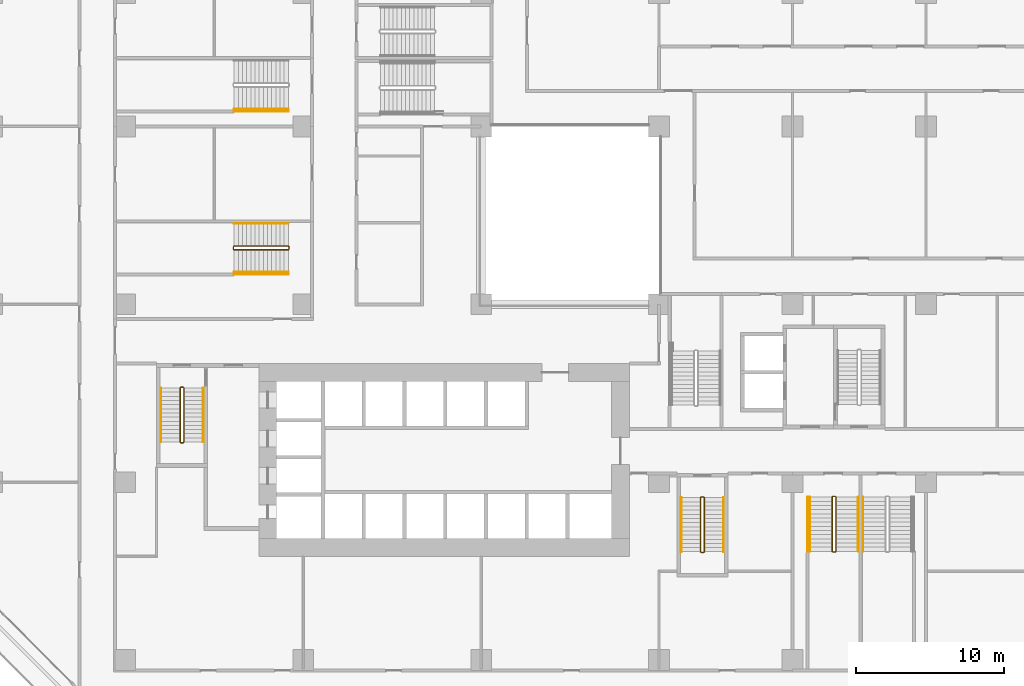
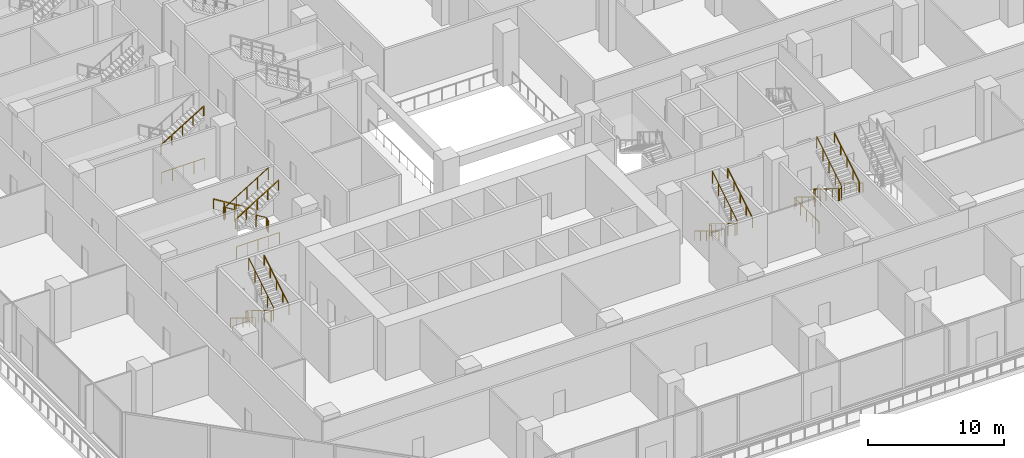
# One storey, part 25 of 31: 17 railings.
"""IFC4 building model written with IfcOpenShell, lengths in metres."""

from ifc_helpers import new_model, si_unit, direction, frame, origin, origin_2d, place, context, subcontext, project, spatial, rectangle, extrude, material, type_object, element, save


model = new_model("IFC4")

# Units and contexts
model_context = context("Model", 3, precision=1e-05, world=origin(), true_north=direction((0.0, 1.0)))
body_context = subcontext(model_context, "Body", "Model", "MODEL_VIEW")
ifc_project = project(units=[si_unit("LENGTHUNIT", "METRE"), si_unit("AREAUNIT", "SQUARE_METRE"), si_unit("VOLUMEUNIT", "CUBIC_METRE"), si_unit("PLANEANGLEUNIT", "RADIAN"), si_unit("MASSUNIT", "GRAM", prefix="KILO")], contexts=[model_context])

# Site, building, storey
site_placement = place(None, origin())
site = spatial("IfcSite", under=ifc_project, at=site_placement, CompositionType="ELEMENT")
building_placement = place(site_placement, origin())
building = spatial("IfcBuilding", under=site, at=building_placement, Name="Chenar Terraces", CompositionType="ELEMENT")
storey_placement = place(building_placement, frame((0.0, 0.0, 7.199951171875)))
storey = spatial("IfcBuildingStorey", under=building, at=storey_placement, Name="L01", CompositionType="ELEMENT", Elevation=7.199951171875)

# Railings
ifc_material_1 = material(Name="Powder-coated steel", Category="steel")
railing_type_1 = type_object("IfcRailingType", Name="Stair guard 1100", PredefinedType="GUARDRAIL", material=ifc_material_1)
railing_1_placement = place(storey_placement, frame((3.949951171875, 18.35009765625, 4.800048828125)))
element("IfcRailing", 1, at=railing_1_placement, inside=storey, type_object=railing_type_1, Name="L01 ST1 stair guard 1", PredefinedType="GUARDRAIL", context=body_context, shape_type="SweptSolid", body=[
    extrude(rectangle(XDim=0.048095703125, YDim=0.048095703125, at=origin_2d()), frame((0.0, 0.0, 1.076171875), z_axis=(0.0, -0.852865859571, -0.52213008492), x_axis=(1.0, 0.0, 0.0)), (0.0, 0.0, 1.0), 4.26806640625),
    extrude(rectangle(XDim=0.048095703125, YDim=0.048095703125, at=origin_2d()), frame((0.0, -3.64013671875, -1.15234375), z_axis=(-0.269911200495, -0.269911200495, -0.924281281696), x_axis=(0.707106781187, -0.707106781187, 0.0)), (0.0, 0.0, 1.0), 0.185546875),
    extrude(rectangle(XDim=0.048095703125, YDim=0.048095703125, at=origin_2d()), frame((-0.050048828125, -3.690185546875, -1.32373046875), z_axis=(-1.0, 0.0, 0.0), x_axis=(0.0, -1.0, 0.0)), (0.0, 0.0, 1.0), 0.14990234375),
    extrude(rectangle(XDim=0.048095703125, YDim=0.048095703125, at=origin_2d()), frame((-0.199951171875, -3.690185546875, -1.32373046875), z_axis=(-0.707106781187, 0.707106781187, 0.0), x_axis=(-0.707106781187, -0.707106781187, 0.0)), (0.0, 0.0, 1.0), 0.07080078125),
    extrude(rectangle(XDim=0.048095703125, YDim=0.048095703125, at=origin_2d()), frame((-0.25, -3.64013671875, -1.32373046875), z_axis=(0.0, 0.852840387347, -0.522171689878), x_axis=(-1.0, 0.0, 0.0)), (0.0, 0.0, 1.0), 4.268310546875),
    extrude(rectangle(XDim=0.048095703125, YDim=0.048095703125, at=origin_2d()), frame((-0.25, 0.0, -3.552734375), z_axis=(0.270006937388, 0.268689830376, -0.924609122178), x_axis=(-0.705375805398, 0.708833529934, 0.0)), (0.0, 0.0, 1.0), 0.185302734375),
    extrude(rectangle(XDim=0.048095703125, YDim=0.048095703125, at=origin_2d()), frame((-0.199951171875, 0.0498046875, -3.72412109375), z_axis=(1.0, 0.0, 0.0), x_axis=(0.0, 1.0, 0.0)), (0.0, 0.0, 1.0), 0.14990234375),
    extrude(rectangle(XDim=0.0419921875, YDim=0.0419921875, at=origin_2d()), origin(), (0.0, 0.0, 1.0), 1.052001953125),
    extrude(rectangle(XDim=0.0419921875, YDim=0.0419921875, at=origin_2d()), frame((0.0, -0.91015625, -0.55712890625)), (0.0, 0.0, 1.0), 1.052001953125),
    extrude(rectangle(XDim=0.0419921875, YDim=0.0419921875, at=origin_2d()), frame((0.0, -1.820068359375, -1.1142578125)), (0.0, 0.0, 1.0), 1.052001953125),
    extrude(rectangle(XDim=0.0419921875, YDim=0.0419921875, at=origin_2d()), frame((0.0, -2.72998046875, -1.67138671875)), (0.0, 0.0, 1.0), 1.052001953125),
    extrude(rectangle(XDim=0.0419921875, YDim=0.0419921875, at=origin_2d()), frame((0.0, -3.64013671875, -2.228515625)), (0.0, 0.0, 1.0), 1.052001953125),
    extrude(rectangle(XDim=0.0419921875, YDim=0.0419921875, at=origin_2d()), frame((-0.050048828125, -3.690185546875, -2.39990234375)), (0.0, 0.0, 1.0), 1.052001953125),
    extrude(rectangle(XDim=0.0419921875, YDim=0.0419921875, at=origin_2d()), frame((-0.199951171875, -3.690185546875, -2.39990234375)), (0.0, 0.0, 1.0), 1.052001953125),
    extrude(rectangle(XDim=0.0419921875, YDim=0.0419921875, at=origin_2d()), frame((-0.25, -3.64013671875, -2.39990234375)), (0.0, 0.0, 1.0), 1.052001953125),
    extrude(rectangle(XDim=0.0419921875, YDim=0.0419921875, at=origin_2d()), frame((-0.25, -2.72998046875, -2.95703125)), (0.0, 0.0, 1.0), 1.052001953125),
    extrude(rectangle(XDim=0.0419921875, YDim=0.0419921875, at=origin_2d()), frame((-0.25, -1.820068359375, -3.51416015625)), (0.0, 0.0, 1.0), 1.052001953125),
    extrude(rectangle(XDim=0.0419921875, YDim=0.0419921875, at=origin_2d()), frame((-0.25, -0.91015625, -4.071533203125)), (0.0, 0.0, 1.0), 1.052001953125),
    extrude(rectangle(XDim=0.0419921875, YDim=0.0419921875, at=origin_2d()), frame((-0.25, 0.0, -4.628662109375)), (0.0, 0.0, 1.0), 1.052001953125),
    extrude(rectangle(XDim=0.0419921875, YDim=0.0419921875, at=origin_2d()), frame((-0.199951171875, 0.0498046875, -4.800048828125)), (0.0, 0.0, 1.0), 1.052001953125),
    extrude(rectangle(XDim=0.0419921875, YDim=0.0419921875, at=origin_2d()), frame((-0.050048828125, 0.0498046875, -4.800048828125)), (0.0, 0.0, 1.0), 1.052001953125),
])
railing_2_placement = place(storey_placement, frame((39.050048828125, 10.949951171875, 4.800048828125)))
element("IfcRailing", 2, at=railing_2_placement, inside=storey, type_object=railing_type_1, Name="L01 ST2 stair guard 1", PredefinedType="GUARDRAIL", context=body_context, shape_type="SweptSolid", body=[
    extrude(rectangle(XDim=0.048095703125, YDim=0.048095703125, at=origin_2d()), frame((0.0, 0.0, 1.076171875), z_axis=(0.0, -0.852850264322, -0.5221555579), x_axis=(1.0, 0.0, 0.0)), (0.0, 0.0, 1.0), 4.267822265625),
    extrude(rectangle(XDim=0.048095703125, YDim=0.048095703125, at=origin_2d()), frame((0.0, -3.639892578125, -1.15234375), z_axis=(-0.269911200495, -0.269911200495, -0.924281281696), x_axis=(0.707106781187, -0.707106781187, 0.0)), (0.0, 0.0, 1.0), 0.185546875),
    extrude(rectangle(XDim=0.048095703125, YDim=0.048095703125, at=origin_2d()), frame((-0.050048828125, -3.68994140625, -1.32373046875), z_axis=(-1.0, 0.0, 0.0), x_axis=(0.0, -1.0, 0.0)), (0.0, 0.0, 1.0), 0.14990234375),
    extrude(rectangle(XDim=0.048095703125, YDim=0.048095703125, at=origin_2d()), frame((-0.199951171875, -3.68994140625, -1.32373046875), z_axis=(-0.707106781187, 0.707106781187, 0.0), x_axis=(-0.707106781187, -0.707106781187, 0.0)), (0.0, 0.0, 1.0), 0.07080078125),
    extrude(rectangle(XDim=0.048095703125, YDim=0.048095703125, at=origin_2d()), frame((-0.25, -3.639892578125, -1.32373046875), z_axis=(0.0, 0.852824790078, -0.522197163366), x_axis=(-1.0, 0.0, 0.0)), (0.0, 0.0, 1.0), 4.26806640625),
    extrude(rectangle(XDim=0.048095703125, YDim=0.048095703125, at=origin_2d()), frame((-0.25, 0.0, -3.552734375), z_axis=(0.269911200495, 0.269911200495, -0.924281281696), x_axis=(-0.707106781187, 0.707106781187, 0.0)), (0.0, 0.0, 1.0), 0.185546875),
    extrude(rectangle(XDim=0.048095703125, YDim=0.048095703125, at=origin_2d()), frame((-0.199951171875, 0.050048828125, -3.72412109375), z_axis=(1.0, 0.0, 0.0), x_axis=(0.0, 1.0, 0.0)), (0.0, 0.0, 1.0), 0.14990234375),
    extrude(rectangle(XDim=0.0419921875, YDim=0.0419921875, at=origin_2d()), origin(), (0.0, 0.0, 1.0), 1.052001953125),
    extrude(rectangle(XDim=0.0419921875, YDim=0.0419921875, at=origin_2d()), frame((0.0, -0.909912109375, -0.55712890625)), (0.0, 0.0, 1.0), 1.052001953125),
    extrude(rectangle(XDim=0.0419921875, YDim=0.0419921875, at=origin_2d()), frame((0.0, -1.81982421875, -1.1142578125)), (0.0, 0.0, 1.0), 1.052001953125),
    extrude(rectangle(XDim=0.0419921875, YDim=0.0419921875, at=origin_2d()), frame((0.0, -2.72998046875, -1.67138671875)), (0.0, 0.0, 1.0), 1.052001953125),
    extrude(rectangle(XDim=0.0419921875, YDim=0.0419921875, at=origin_2d()), frame((0.0, -3.639892578125, -2.228515625)), (0.0, 0.0, 1.0), 1.052001953125),
    extrude(rectangle(XDim=0.0419921875, YDim=0.0419921875, at=origin_2d()), frame((-0.050048828125, -3.68994140625, -2.39990234375)), (0.0, 0.0, 1.0), 1.052001953125),
    extrude(rectangle(XDim=0.0419921875, YDim=0.0419921875, at=origin_2d()), frame((-0.199951171875, -3.68994140625, -2.39990234375)), (0.0, 0.0, 1.0), 1.052001953125),
    extrude(rectangle(XDim=0.0419921875, YDim=0.0419921875, at=origin_2d()), frame((-0.25, -3.639892578125, -2.39990234375)), (0.0, 0.0, 1.0), 1.052001953125),
    extrude(rectangle(XDim=0.0419921875, YDim=0.0419921875, at=origin_2d()), frame((-0.25, -2.72998046875, -2.95703125)), (0.0, 0.0, 1.0), 1.052001953125),
    extrude(rectangle(XDim=0.0419921875, YDim=0.0419921875, at=origin_2d()), frame((-0.25, -1.81982421875, -3.51416015625)), (0.0, 0.0, 1.0), 1.052001953125),
    extrude(rectangle(XDim=0.0419921875, YDim=0.0419921875, at=origin_2d()), frame((-0.25, -0.909912109375, -4.071533203125)), (0.0, 0.0, 1.0), 1.052001953125),
    extrude(rectangle(XDim=0.0419921875, YDim=0.0419921875, at=origin_2d()), frame((-0.25, 0.0, -4.628662109375)), (0.0, 0.0, 1.0), 1.052001953125),
    extrude(rectangle(XDim=0.0419921875, YDim=0.0419921875, at=origin_2d()), frame((-0.199951171875, 0.050048828125, -4.800048828125)), (0.0, 0.0, 1.0), 1.052001953125),
    extrude(rectangle(XDim=0.0419921875, YDim=0.0419921875, at=origin_2d()), frame((-0.050048828125, 0.050048828125, -4.800048828125)), (0.0, 0.0, 1.0), 1.052001953125),
])
railing_3_placement = place(storey_placement, frame((10.985107421875, 27.675048828125, 4.800048828125)))
element("IfcRailing", 3, at=railing_3_placement, inside=storey, type_object=railing_type_1, Name="L01 PS5 stair guard 1", PredefinedType="GUARDRAIL", context=body_context, shape_type="SweptSolid", body=[
    extrude(rectangle(XDim=0.048095703125, YDim=0.048095703125, at=origin_2d()), frame((0.0, 0.0, 1.076171875), z_axis=(-0.852865859571, 0.0, -0.52213008492), x_axis=(0.0, -1.0, 0.0)), (0.0, 0.0, 1.0), 4.26806640625),
    extrude(rectangle(XDim=0.048095703125, YDim=0.048095703125, at=origin_2d()), frame((-3.64013671875, 0.0, -1.15234375), z_axis=(-0.269911200495, 0.269911200495, -0.924281281696), x_axis=(-0.707106781187, -0.707106781187, 0.0)), (0.0, 0.0, 1.0), 0.185546875),
    extrude(rectangle(XDim=0.048095703125, YDim=0.048095703125, at=origin_2d()), frame((-3.690185546875, 0.050048828125, -1.32373046875), z_axis=(0.0, 1.0, 0.0), x_axis=(-1.0, 0.0, 0.0)), (0.0, 0.0, 1.0), 0.14990234375),
    extrude(rectangle(XDim=0.048095703125, YDim=0.048095703125, at=origin_2d()), frame((-3.690185546875, 0.199951171875, -1.32373046875), z_axis=(0.707106781187, 0.707106781187, 0.0), x_axis=(-0.707106781187, 0.707106781187, 0.0)), (0.0, 0.0, 1.0), 0.07080078125),
    extrude(rectangle(XDim=0.048095703125, YDim=0.048095703125, at=origin_2d()), frame((-3.64013671875, 0.25, -1.32373046875), z_axis=(0.852840387347, 0.0, -0.522171689878), x_axis=(0.0, 1.0, 0.0)), (0.0, 0.0, 1.0), 4.268310546875),
    extrude(rectangle(XDim=0.048095703125, YDim=0.048095703125, at=origin_2d()), frame((0.0, 0.25, -3.552734375), z_axis=(0.268689830376, -0.270006937388, -0.924609122178), x_axis=(0.708833529934, 0.705375805398, 0.0)), (0.0, 0.0, 1.0), 0.185302734375),
    extrude(rectangle(XDim=0.048095703125, YDim=0.048095703125, at=origin_2d()), frame((0.0498046875, 0.199951171875, -3.72412109375), z_axis=(0.0, -1.0, 0.0), x_axis=(1.0, 0.0, 0.0)), (0.0, 0.0, 1.0), 0.14990234375),
    extrude(rectangle(XDim=0.0419921875, YDim=0.0419921875, at=origin_2d()), origin(), (0.0, 0.0, 1.0), 1.052001953125),
    extrude(rectangle(XDim=0.0419921875, YDim=0.0419921875, at=origin_2d()), frame((-0.91015625, 0.0, -0.55712890625)), (0.0, 0.0, 1.0), 1.052001953125),
    extrude(rectangle(XDim=0.0419921875, YDim=0.0419921875, at=origin_2d()), frame((-1.820068359375, 0.0, -1.1142578125)), (0.0, 0.0, 1.0), 1.052001953125),
    extrude(rectangle(XDim=0.0419921875, YDim=0.0419921875, at=origin_2d()), frame((-2.72998046875, 0.0, -1.67138671875)), (0.0, 0.0, 1.0), 1.052001953125),
    extrude(rectangle(XDim=0.0419921875, YDim=0.0419921875, at=origin_2d()), frame((-3.64013671875, 0.0, -2.228515625)), (0.0, 0.0, 1.0), 1.052001953125),
    extrude(rectangle(XDim=0.0419921875, YDim=0.0419921875, at=origin_2d()), frame((-3.690185546875, 0.050048828125, -2.39990234375)), (0.0, 0.0, 1.0), 1.052001953125),
    extrude(rectangle(XDim=0.0419921875, YDim=0.0419921875, at=origin_2d()), frame((-3.690185546875, 0.199951171875, -2.39990234375)), (0.0, 0.0, 1.0), 1.052001953125),
    extrude(rectangle(XDim=0.0419921875, YDim=0.0419921875, at=origin_2d()), frame((-3.64013671875, 0.25, -2.39990234375)), (0.0, 0.0, 1.0), 1.052001953125),
    extrude(rectangle(XDim=0.0419921875, YDim=0.0419921875, at=origin_2d()), frame((-2.72998046875, 0.25, -2.95703125)), (0.0, 0.0, 1.0), 1.052001953125),
    extrude(rectangle(XDim=0.0419921875, YDim=0.0419921875, at=origin_2d()), frame((-1.820068359375, 0.25, -3.51416015625)), (0.0, 0.0, 1.0), 1.052001953125),
    extrude(rectangle(XDim=0.0419921875, YDim=0.0419921875, at=origin_2d()), frame((-0.91015625, 0.25, -4.071533203125)), (0.0, 0.0, 1.0), 1.052001953125),
    extrude(rectangle(XDim=0.0419921875, YDim=0.0419921875, at=origin_2d()), frame((0.0, 0.25, -4.628662109375)), (0.0, 0.0, 1.0), 1.052001953125),
    extrude(rectangle(XDim=0.0419921875, YDim=0.0419921875, at=origin_2d()), frame((0.0498046875, 0.199951171875, -4.800048828125)), (0.0, 0.0, 1.0), 1.052001953125),
    extrude(rectangle(XDim=0.0419921875, YDim=0.0419921875, at=origin_2d()), frame((0.0498046875, 0.050048828125, -4.800048828125)), (0.0, 0.0, 1.0), 1.052001953125),
])
railing_4_placement = place(storey_placement, frame((47.925048828125, 10.985107421875, 4.800048828125)))
element("IfcRailing", 4, at=railing_4_placement, inside=storey, type_object=railing_type_1, Name="L01 PS6 stair guard 1", PredefinedType="GUARDRAIL", context=body_context, shape_type="SweptSolid", body=[
    extrude(rectangle(XDim=0.048095703125, YDim=0.048095703125, at=origin_2d()), frame((0.0, 0.0, 1.076171875), z_axis=(0.0, -0.852865859571, -0.52213008492), x_axis=(1.0, 0.0, 0.0)), (0.0, 0.0, 1.0), 4.26806640625),
    extrude(rectangle(XDim=0.048095703125, YDim=0.048095703125, at=origin_2d()), frame((0.0, -3.64013671875, -1.15234375), z_axis=(-0.269911200495, -0.269911200495, -0.924281281696), x_axis=(0.707106781187, -0.707106781187, 0.0)), (0.0, 0.0, 1.0), 0.185546875),
    extrude(rectangle(XDim=0.048095703125, YDim=0.048095703125, at=origin_2d()), frame((-0.050048828125, -3.690185546875, -1.32373046875), z_axis=(-1.0, 0.0, 0.0), x_axis=(0.0, -1.0, 0.0)), (0.0, 0.0, 1.0), 0.14990234375),
    extrude(rectangle(XDim=0.048095703125, YDim=0.048095703125, at=origin_2d()), frame((-0.199951171875, -3.690185546875, -1.32373046875), z_axis=(-0.707106781187, 0.707106781187, 0.0), x_axis=(-0.707106781187, -0.707106781187, 0.0)), (0.0, 0.0, 1.0), 0.07080078125),
    extrude(rectangle(XDim=0.048095703125, YDim=0.048095703125, at=origin_2d()), frame((-0.25, -3.64013671875, -1.32373046875), z_axis=(0.0, 0.852840387347, -0.522171689878), x_axis=(-1.0, 0.0, 0.0)), (0.0, 0.0, 1.0), 4.268310546875),
    extrude(rectangle(XDim=0.048095703125, YDim=0.048095703125, at=origin_2d()), frame((-0.25, 0.0, -3.552734375), z_axis=(0.270006937388, 0.268689830376, -0.924609122178), x_axis=(-0.705375805398, 0.708833529934, 0.0)), (0.0, 0.0, 1.0), 0.185302734375),
    extrude(rectangle(XDim=0.048095703125, YDim=0.048095703125, at=origin_2d()), frame((-0.199951171875, 0.0498046875, -3.72412109375), z_axis=(1.0, 0.0, 0.0), x_axis=(0.0, 1.0, 0.0)), (0.0, 0.0, 1.0), 0.14990234375),
    extrude(rectangle(XDim=0.0419921875, YDim=0.0419921875, at=origin_2d()), origin(), (0.0, 0.0, 1.0), 1.052001953125),
    extrude(rectangle(XDim=0.0419921875, YDim=0.0419921875, at=origin_2d()), frame((0.0, -0.91015625, -0.55712890625)), (0.0, 0.0, 1.0), 1.052001953125),
    extrude(rectangle(XDim=0.0419921875, YDim=0.0419921875, at=origin_2d()), frame((0.0, -1.820068359375, -1.1142578125)), (0.0, 0.0, 1.0), 1.052001953125),
    extrude(rectangle(XDim=0.0419921875, YDim=0.0419921875, at=origin_2d()), frame((0.0, -2.72998046875, -1.67138671875)), (0.0, 0.0, 1.0), 1.052001953125),
    extrude(rectangle(XDim=0.0419921875, YDim=0.0419921875, at=origin_2d()), frame((0.0, -3.64013671875, -2.228515625)), (0.0, 0.0, 1.0), 1.052001953125),
    extrude(rectangle(XDim=0.0419921875, YDim=0.0419921875, at=origin_2d()), frame((-0.050048828125, -3.690185546875, -2.39990234375)), (0.0, 0.0, 1.0), 1.052001953125),
    extrude(rectangle(XDim=0.0419921875, YDim=0.0419921875, at=origin_2d()), frame((-0.199951171875, -3.690185546875, -2.39990234375)), (0.0, 0.0, 1.0), 1.052001953125),
    extrude(rectangle(XDim=0.0419921875, YDim=0.0419921875, at=origin_2d()), frame((-0.25, -3.64013671875, -2.39990234375)), (0.0, 0.0, 1.0), 1.052001953125),
    extrude(rectangle(XDim=0.0419921875, YDim=0.0419921875, at=origin_2d()), frame((-0.25, -2.72998046875, -2.95703125)), (0.0, 0.0, 1.0), 1.052001953125),
    extrude(rectangle(XDim=0.0419921875, YDim=0.0419921875, at=origin_2d()), frame((-0.25, -1.820068359375, -3.51416015625)), (0.0, 0.0, 1.0), 1.052001953125),
    extrude(rectangle(XDim=0.0419921875, YDim=0.0419921875, at=origin_2d()), frame((-0.25, -0.91015625, -4.071533203125)), (0.0, 0.0, 1.0), 1.052001953125),
    extrude(rectangle(XDim=0.0419921875, YDim=0.0419921875, at=origin_2d()), frame((-0.25, 0.0, -4.628662109375)), (0.0, 0.0, 1.0), 1.052001953125),
    extrude(rectangle(XDim=0.0419921875, YDim=0.0419921875, at=origin_2d()), frame((-0.199951171875, 0.0498046875, -4.800048828125)), (0.0, 0.0, 1.0), 1.052001953125),
    extrude(rectangle(XDim=0.0419921875, YDim=0.0419921875, at=origin_2d()), frame((-0.050048828125, 0.0498046875, -4.800048828125)), (0.0, 0.0, 1.0), 1.052001953125),
])
railing_5_placement = place(storey_placement, frame((7.32421875, 26.010009765625, 0.0)))
element("IfcRailing", 5, at=railing_5_placement, inside=storey, type_object=railing_type_1, Name="L01 PS5 stair guard 101", PredefinedType="GUARDRAIL", context=body_context, shape_type="SweptSolid", body=[
    extrude(rectangle(XDim=0.048095703125, YDim=0.048095703125, at=origin_2d()), frame((0.0, 0.0, 1.076171875), z_axis=(1.0, 0.0, 0.0), x_axis=(0.0, 1.0, 0.0)), (0.0, 0.0, 1.0), 3.660888671875),
    extrude(rectangle(XDim=0.0419921875, YDim=0.0419921875, at=origin_2d()), origin(), (0.0, 0.0, 1.0), 1.052001953125),
    extrude(rectangle(XDim=0.0419921875, YDim=0.0419921875, at=origin_2d()), frame((0.915283203125, 0.0, 0.0)), (0.0, 0.0, 1.0), 1.052001953125),
    extrude(rectangle(XDim=0.0419921875, YDim=0.0419921875, at=origin_2d()), frame((1.83056640625, 0.0, 0.0)), (0.0, 0.0, 1.0), 1.052001953125),
    extrude(rectangle(XDim=0.0419921875, YDim=0.0419921875, at=origin_2d()), frame((2.74560546875, 0.0, 0.0)), (0.0, 0.0, 1.0), 1.052001953125),
    extrude(rectangle(XDim=0.0419921875, YDim=0.0419921875, at=origin_2d()), frame((3.660888671875, 0.0, 0.0)), (0.0, 0.0, 1.0), 1.052001953125),
])
railing_6_placement = place(storey_placement, frame((46.010009765625, 10.985107421875, 0.0)))
element("IfcRailing", 6, at=railing_6_placement, inside=storey, type_object=railing_type_1, Name="L01 PS6 stair guard 101", PredefinedType="GUARDRAIL", context=body_context, shape_type="SweptSolid", body=[
    extrude(rectangle(XDim=0.048095703125, YDim=0.048095703125, at=origin_2d()), frame((0.0, 0.0, 1.076171875), z_axis=(0.0, -1.0, 0.0), x_axis=(1.0, 0.0, 0.0)), (0.0, 0.0, 1.0), 3.660888671875),
    extrude(rectangle(XDim=0.0419921875, YDim=0.0419921875, at=origin_2d()), origin(), (0.0, 0.0, 1.0), 1.052001953125),
    extrude(rectangle(XDim=0.0419921875, YDim=0.0419921875, at=origin_2d()), frame((0.0, -0.915283203125, 0.0)), (0.0, 0.0, 1.0), 1.052001953125),
    extrude(rectangle(XDim=0.0419921875, YDim=0.0419921875, at=origin_2d()), frame((0.0, -1.83056640625, 0.0)), (0.0, 0.0, 1.0), 1.052001953125),
    extrude(rectangle(XDim=0.0419921875, YDim=0.0419921875, at=origin_2d()), frame((0.0, -2.74560546875, 0.0)), (0.0, 0.0, 1.0), 1.052001953125),
    extrude(rectangle(XDim=0.0419921875, YDim=0.0419921875, at=origin_2d()), frame((0.0, -3.660888671875, 0.0)), (0.0, 0.0, 1.0), 1.052001953125),
])
railing_7_placement = place(storey_placement, frame((7.32421875, 37.010009765625, 0.0)))
element("IfcRailing", 7, at=railing_7_placement, inside=storey, type_object=railing_type_1, Name="L01 PS9 stair guard 101", PredefinedType="GUARDRAIL", context=body_context, shape_type="SweptSolid", body=[
    extrude(rectangle(XDim=0.048095703125, YDim=0.048095703125, at=origin_2d()), frame((0.0, 0.0, 1.076171875), z_axis=(1.0, 0.0, 0.0), x_axis=(0.0, 1.0, 0.0)), (0.0, 0.0, 1.0), 3.660888671875),
    extrude(rectangle(XDim=0.0419921875, YDim=0.0419921875, at=origin_2d()), origin(), (0.0, 0.0, 1.0), 1.052001953125),
    extrude(rectangle(XDim=0.0419921875, YDim=0.0419921875, at=origin_2d()), frame((0.915283203125, 0.0, 0.0)), (0.0, 0.0, 1.0), 1.052001953125),
    extrude(rectangle(XDim=0.0419921875, YDim=0.0419921875, at=origin_2d()), frame((1.83056640625, 0.0, 0.0)), (0.0, 0.0, 1.0), 1.052001953125),
    extrude(rectangle(XDim=0.0419921875, YDim=0.0419921875, at=origin_2d()), frame((2.74560546875, 0.0, 0.0)), (0.0, 0.0, 1.0), 1.052001953125),
    extrude(rectangle(XDim=0.0419921875, YDim=0.0419921875, at=origin_2d()), frame((3.660888671875, 0.0, 0.0)), (0.0, 0.0, 1.0), 1.052001953125),
])
ifc_material_2 = material(Name="Powder-coated steel", Category="steel")
railing_type_2 = type_object("IfcRailingType", Name="Stair handrail 900", PredefinedType="HANDRAIL", material=ifc_material_2)
railing_8_placement = place(storey_placement, frame((2.39990234375, 18.35009765625, 0.17138671875)))
element("IfcRailing", 8, at=railing_8_placement, inside=storey, type_object=railing_type_2, Name="L01 ST1 stair handrail 1", PredefinedType="HANDRAIL", context=body_context, shape_type="SweptSolid", body=[
    extrude(rectangle(XDim=0.048095703125, YDim=0.048095703125, at=origin_2d()), frame((0.0, 0.0, 0.8759765625), z_axis=(0.0, -0.852840387347, 0.522171689878), x_axis=(1.0, 0.0, 0.0)), (0.0, 0.0, 1.0), 4.268310546875),
    extrude(rectangle(XDim=0.0419921875, YDim=0.0419921875, at=origin_2d()), origin(), (0.0, 0.0, 1.0), 0.851806640625),
    extrude(rectangle(XDim=0.0419921875, YDim=0.0419921875, at=origin_2d()), frame((0.0, -0.91015625, 0.55712890625)), (0.0, 0.0, 1.0), 0.851806640625),
    extrude(rectangle(XDim=0.0419921875, YDim=0.0419921875, at=origin_2d()), frame((0.0, -1.820068359375, 1.1142578125)), (0.0, 0.0, 1.0), 0.851806640625),
    extrude(rectangle(XDim=0.0419921875, YDim=0.0419921875, at=origin_2d()), frame((0.0, -2.72998046875, 1.671630859375)), (0.0, 0.0, 1.0), 0.851806640625),
    extrude(rectangle(XDim=0.0419921875, YDim=0.0419921875, at=origin_2d()), frame((0.0, -3.64013671875, 2.228759765625)), (0.0, 0.0, 1.0), 0.851806640625),
])
railing_9_placement = place(storey_placement, frame((5.25, 14.7099609375, 2.571533203125)))
element("IfcRailing", 9, at=railing_9_placement, inside=storey, type_object=railing_type_2, Name="L01 ST1 stair handrail 2", PredefinedType="HANDRAIL", context=body_context, shape_type="SweptSolid", body=[
    extrude(rectangle(XDim=0.048095703125, YDim=0.048095703125, at=origin_2d()), frame((0.0, 0.0, 0.8759765625), z_axis=(0.0, 0.852865859571, 0.52213008492), x_axis=(-1.0, 0.0, 0.0)), (0.0, 0.0, 1.0), 4.26806640625),
    extrude(rectangle(XDim=0.0419921875, YDim=0.0419921875, at=origin_2d()), origin(), (0.0, 0.0, 1.0), 0.851806640625),
    extrude(rectangle(XDim=0.0419921875, YDim=0.0419921875, at=origin_2d()), frame((0.0, 0.91015625, 0.55712890625)), (0.0, 0.0, 1.0), 0.851806640625),
    extrude(rectangle(XDim=0.0419921875, YDim=0.0419921875, at=origin_2d()), frame((0.0, 1.820068359375, 1.1142578125)), (0.0, 0.0, 1.0), 0.851806640625),
    extrude(rectangle(XDim=0.0419921875, YDim=0.0419921875, at=origin_2d()), frame((0.0, 2.72998046875, 1.67138671875)), (0.0, 0.0, 1.0), 0.851806640625),
    extrude(rectangle(XDim=0.0419921875, YDim=0.0419921875, at=origin_2d()), frame((0.0, 3.64013671875, 2.228515625)), (0.0, 0.0, 1.0), 0.851806640625),
])
railing_10_placement = place(storey_placement, frame((37.5, 10.949951171875, 0.17138671875)))
element("IfcRailing", 10, at=railing_10_placement, inside=storey, type_object=railing_type_2, Name="L01 ST2 stair handrail 1", PredefinedType="HANDRAIL", context=body_context, shape_type="SweptSolid", body=[
    extrude(rectangle(XDim=0.048095703125, YDim=0.048095703125, at=origin_2d()), frame((0.0, 0.0, 0.8759765625), z_axis=(0.0, -0.852824790078, 0.522197163366), x_axis=(1.0, 0.0, 0.0)), (0.0, 0.0, 1.0), 4.26806640625),
    extrude(rectangle(XDim=0.0419921875, YDim=0.0419921875, at=origin_2d()), origin(), (0.0, 0.0, 1.0), 0.851806640625),
    extrude(rectangle(XDim=0.0419921875, YDim=0.0419921875, at=origin_2d()), frame((0.0, -0.909912109375, 0.55712890625)), (0.0, 0.0, 1.0), 0.851806640625),
    extrude(rectangle(XDim=0.0419921875, YDim=0.0419921875, at=origin_2d()), frame((0.0, -1.81982421875, 1.1142578125)), (0.0, 0.0, 1.0), 0.851806640625),
    extrude(rectangle(XDim=0.0419921875, YDim=0.0419921875, at=origin_2d()), frame((0.0, -2.72998046875, 1.671630859375)), (0.0, 0.0, 1.0), 0.851806640625),
    extrude(rectangle(XDim=0.0419921875, YDim=0.0419921875, at=origin_2d()), frame((0.0, -3.639892578125, 2.228759765625)), (0.0, 0.0, 1.0), 0.851806640625),
])
railing_11_placement = place(storey_placement, frame((40.35009765625, 7.31005859375, 2.571533203125)))
element("IfcRailing", 11, at=railing_11_placement, inside=storey, type_object=railing_type_2, Name="L01 ST2 stair handrail 2", PredefinedType="HANDRAIL", context=body_context, shape_type="SweptSolid", body=[
    extrude(rectangle(XDim=0.048095703125, YDim=0.048095703125, at=origin_2d()), frame((0.0, 0.0, 0.8759765625), z_axis=(0.0, 0.852850264322, 0.5221555579), x_axis=(-1.0, 0.0, 0.0)), (0.0, 0.0, 1.0), 4.267822265625),
    extrude(rectangle(XDim=0.0419921875, YDim=0.0419921875, at=origin_2d()), origin(), (0.0, 0.0, 1.0), 0.851806640625),
    extrude(rectangle(XDim=0.0419921875, YDim=0.0419921875, at=origin_2d()), frame((0.0, 0.909912109375, 0.55712890625)), (0.0, 0.0, 1.0), 0.851806640625),
    extrude(rectangle(XDim=0.0419921875, YDim=0.0419921875, at=origin_2d()), frame((0.0, 1.81982421875, 1.1142578125)), (0.0, 0.0, 1.0), 0.851806640625),
    extrude(rectangle(XDim=0.0419921875, YDim=0.0419921875, at=origin_2d()), frame((0.0, 2.72998046875, 1.67138671875)), (0.0, 0.0, 1.0), 0.851806640625),
    extrude(rectangle(XDim=0.0419921875, YDim=0.0419921875, at=origin_2d()), frame((0.0, 3.639892578125, 2.228515625)), (0.0, 0.0, 1.0), 0.851806640625),
])
railing_12_placement = place(storey_placement, frame((49.760009765625, 10.985107421875, 0.17138671875)))
element("IfcRailing", 12, at=railing_12_placement, inside=storey, type_object=railing_type_2, Name="L01 PS2 stair handrail 1", PredefinedType="HANDRAIL", context=body_context, shape_type="SweptSolid", body=[
    extrude(rectangle(XDim=0.048095703125, YDim=0.048095703125, at=origin_2d()), frame((0.0, 0.0, 0.8759765625), z_axis=(0.0, -0.852840387347, 0.522171689878), x_axis=(1.0, 0.0, 0.0)), (0.0, 0.0, 1.0), 4.268310546875),
    extrude(rectangle(XDim=0.0419921875, YDim=0.0419921875, at=origin_2d()), origin(), (0.0, 0.0, 1.0), 0.851806640625),
    extrude(rectangle(XDim=0.0419921875, YDim=0.0419921875, at=origin_2d()), frame((0.0, -0.91015625, 0.55712890625)), (0.0, 0.0, 1.0), 0.851806640625),
    extrude(rectangle(XDim=0.0419921875, YDim=0.0419921875, at=origin_2d()), frame((0.0, -1.820068359375, 1.1142578125)), (0.0, 0.0, 1.0), 0.851806640625),
    extrude(rectangle(XDim=0.0419921875, YDim=0.0419921875, at=origin_2d()), frame((0.0, -2.72998046875, 1.671630859375)), (0.0, 0.0, 1.0), 0.851806640625),
    extrude(rectangle(XDim=0.0419921875, YDim=0.0419921875, at=origin_2d()), frame((0.0, -3.64013671875, 2.228759765625)), (0.0, 0.0, 1.0), 0.851806640625),
])
railing_13_placement = place(storey_placement, frame((10.985107421875, 29.43994140625, 0.17138671875)))
element("IfcRailing", 13, at=railing_13_placement, inside=storey, type_object=railing_type_2, Name="L01 PS5 stair handrail 1", PredefinedType="HANDRAIL", context=body_context, shape_type="SweptSolid", body=[
    extrude(rectangle(XDim=0.048095703125, YDim=0.048095703125, at=origin_2d()), frame((0.0, 0.0, 0.8759765625), z_axis=(-0.852840387347, 0.0, 0.522171689878), x_axis=(0.0, -1.0, 0.0)), (0.0, 0.0, 1.0), 4.268310546875),
    extrude(rectangle(XDim=0.0419921875, YDim=0.0419921875, at=origin_2d()), origin(), (0.0, 0.0, 1.0), 0.851806640625),
    extrude(rectangle(XDim=0.0419921875, YDim=0.0419921875, at=origin_2d()), frame((-0.91015625, 0.0, 0.55712890625)), (0.0, 0.0, 1.0), 0.851806640625),
    extrude(rectangle(XDim=0.0419921875, YDim=0.0419921875, at=origin_2d()), frame((-1.820068359375, 0.0, 1.1142578125)), (0.0, 0.0, 1.0), 0.851806640625),
    extrude(rectangle(XDim=0.0419921875, YDim=0.0419921875, at=origin_2d()), frame((-2.72998046875, 0.0, 1.671630859375)), (0.0, 0.0, 1.0), 0.851806640625),
    extrude(rectangle(XDim=0.0419921875, YDim=0.0419921875, at=origin_2d()), frame((-3.64013671875, 0.0, 2.228759765625)), (0.0, 0.0, 1.0), 0.851806640625),
])
railing_14_placement = place(storey_placement, frame((7.344970703125, 26.159912109375, 2.571533203125)))
element("IfcRailing", 14, at=railing_14_placement, inside=storey, type_object=railing_type_2, Name="L01 PS5 stair handrail 2", PredefinedType="HANDRAIL", context=body_context, shape_type="SweptSolid", body=[
    extrude(rectangle(XDim=0.048095703125, YDim=0.048095703125, at=origin_2d()), frame((0.0, 0.0, 0.8759765625), z_axis=(0.852865859571, 0.0, 0.52213008492), x_axis=(0.0, 1.0, 0.0)), (0.0, 0.0, 1.0), 4.26806640625),
    extrude(rectangle(XDim=0.0419921875, YDim=0.0419921875, at=origin_2d()), origin(), (0.0, 0.0, 1.0), 0.851806640625),
    extrude(rectangle(XDim=0.0419921875, YDim=0.0419921875, at=origin_2d()), frame((0.91015625, 0.0, 0.55712890625)), (0.0, 0.0, 1.0), 0.851806640625),
    extrude(rectangle(XDim=0.0419921875, YDim=0.0419921875, at=origin_2d()), frame((1.820068359375, 0.0, 1.1142578125)), (0.0, 0.0, 1.0), 0.851806640625),
    extrude(rectangle(XDim=0.0419921875, YDim=0.0419921875, at=origin_2d()), frame((2.72998046875, 0.0, 1.67138671875)), (0.0, 0.0, 1.0), 0.851806640625),
    extrude(rectangle(XDim=0.0419921875, YDim=0.0419921875, at=origin_2d()), frame((3.64013671875, 0.0, 2.228515625)), (0.0, 0.0, 1.0), 0.851806640625),
])
railing_15_placement = place(storey_placement, frame((46.159912109375, 10.985107421875, 0.17138671875)))
element("IfcRailing", 15, at=railing_15_placement, inside=storey, type_object=railing_type_2, Name="L01 PS6 stair handrail 1", PredefinedType="HANDRAIL", context=body_context, shape_type="SweptSolid", body=[
    extrude(rectangle(XDim=0.048095703125, YDim=0.048095703125, at=origin_2d()), frame((0.0, 0.0, 0.8759765625), z_axis=(0.0, -0.852840387347, 0.522171689878), x_axis=(1.0, 0.0, 0.0)), (0.0, 0.0, 1.0), 4.268310546875),
    extrude(rectangle(XDim=0.0419921875, YDim=0.0419921875, at=origin_2d()), origin(), (0.0, 0.0, 1.0), 0.851806640625),
    extrude(rectangle(XDim=0.0419921875, YDim=0.0419921875, at=origin_2d()), frame((0.0, -0.91015625, 0.55712890625)), (0.0, 0.0, 1.0), 0.851806640625),
    extrude(rectangle(XDim=0.0419921875, YDim=0.0419921875, at=origin_2d()), frame((0.0, -1.820068359375, 1.1142578125)), (0.0, 0.0, 1.0), 0.851806640625),
    extrude(rectangle(XDim=0.0419921875, YDim=0.0419921875, at=origin_2d()), frame((0.0, -2.72998046875, 1.671630859375)), (0.0, 0.0, 1.0), 0.851806640625),
    extrude(rectangle(XDim=0.0419921875, YDim=0.0419921875, at=origin_2d()), frame((0.0, -3.64013671875, 2.228759765625)), (0.0, 0.0, 1.0), 0.851806640625),
])
railing_16_placement = place(storey_placement, frame((49.43994140625, 7.344970703125, 2.571533203125)))
element("IfcRailing", 16, at=railing_16_placement, inside=storey, type_object=railing_type_2, Name="L01 PS6 stair handrail 2", PredefinedType="HANDRAIL", context=body_context, shape_type="SweptSolid", body=[
    extrude(rectangle(XDim=0.048095703125, YDim=0.048095703125, at=origin_2d()), frame((0.0, 0.0, 0.8759765625), z_axis=(0.0, 0.852865859571, 0.52213008492), x_axis=(-1.0, 0.0, 0.0)), (0.0, 0.0, 1.0), 4.26806640625),
    extrude(rectangle(XDim=0.0419921875, YDim=0.0419921875, at=origin_2d()), origin(), (0.0, 0.0, 1.0), 0.851806640625),
    extrude(rectangle(XDim=0.0419921875, YDim=0.0419921875, at=origin_2d()), frame((0.0, 0.91015625, 0.55712890625)), (0.0, 0.0, 1.0), 0.851806640625),
    extrude(rectangle(XDim=0.0419921875, YDim=0.0419921875, at=origin_2d()), frame((0.0, 1.820068359375, 1.1142578125)), (0.0, 0.0, 1.0), 0.851806640625),
    extrude(rectangle(XDim=0.0419921875, YDim=0.0419921875, at=origin_2d()), frame((0.0, 2.72998046875, 1.67138671875)), (0.0, 0.0, 1.0), 0.851806640625),
    extrude(rectangle(XDim=0.0419921875, YDim=0.0419921875, at=origin_2d()), frame((0.0, 3.64013671875, 2.228515625)), (0.0, 0.0, 1.0), 0.851806640625),
])
railing_17_placement = place(storey_placement, frame((7.344970703125, 37.159912109375, 2.571533203125)))
element("IfcRailing", 17, at=railing_17_placement, inside=storey, type_object=railing_type_2, Name="L01 PS9 stair handrail 2", PredefinedType="HANDRAIL", context=body_context, shape_type="SweptSolid", body=[
    extrude(rectangle(XDim=0.048095703125, YDim=0.048095703125, at=origin_2d()), frame((0.0, 0.0, 0.8759765625), z_axis=(0.852865859571, 0.0, 0.52213008492), x_axis=(0.0, 1.0, 0.0)), (0.0, 0.0, 1.0), 4.26806640625),
    extrude(rectangle(XDim=0.0419921875, YDim=0.0419921875, at=origin_2d()), origin(), (0.0, 0.0, 1.0), 0.851806640625),
    extrude(rectangle(XDim=0.0419921875, YDim=0.0419921875, at=origin_2d()), frame((0.91015625, 0.0, 0.55712890625)), (0.0, 0.0, 1.0), 0.851806640625),
    extrude(rectangle(XDim=0.0419921875, YDim=0.0419921875, at=origin_2d()), frame((1.820068359375, 0.0, 1.1142578125)), (0.0, 0.0, 1.0), 0.851806640625),
    extrude(rectangle(XDim=0.0419921875, YDim=0.0419921875, at=origin_2d()), frame((2.72998046875, 0.0, 1.67138671875)), (0.0, 0.0, 1.0), 0.851806640625),
    extrude(rectangle(XDim=0.0419921875, YDim=0.0419921875, at=origin_2d()), frame((3.64013671875, 0.0, 2.228515625)), (0.0, 0.0, 1.0), 0.851806640625),
])

save(model, "model.ifc")
